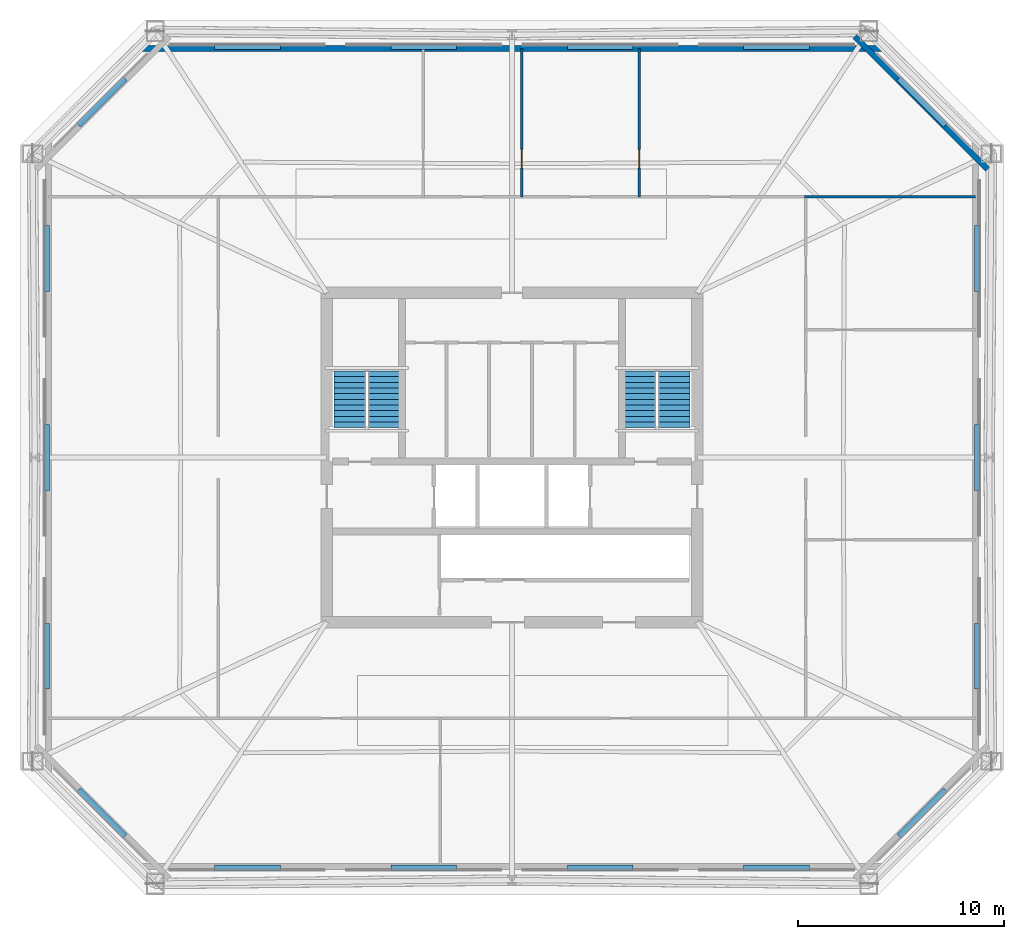
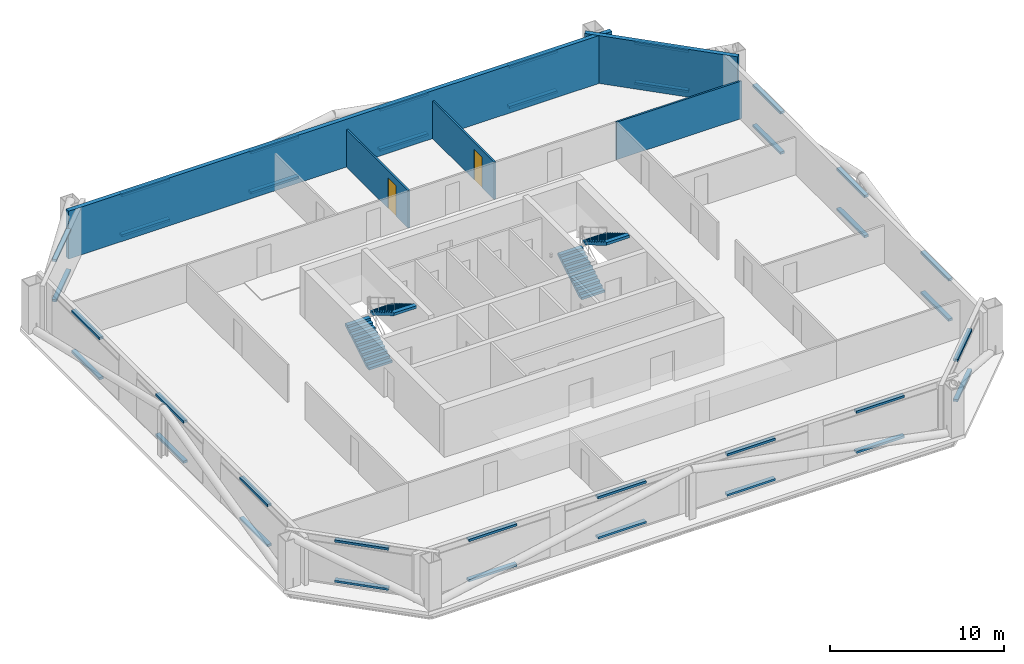
# One storey, part 4 of 6: 36 discrete accessories, 5 walls, 4 stair flights, 2 doors, 2 openings, 2 elements without a shape of their own.
"""IFC4 building model written with IfcOpenShell, lengths in metres."""

from ifc_helpers import new_model, si_unit, direction, frame, frame_2d, origin, origin_2d, place, context, subcontext, project, spatial, polyline, rectangle, outline, extrude, material, layer, layer_set, type_object, element, fill, aggregate, save


model = new_model("IFC4")

# Units and contexts
model_context = context("Model", 3, precision=1e-05, world=origin(), true_north=direction((0.0, 1.0)))
body_context = subcontext(model_context, "Body", "Model", "MODEL_VIEW")
ifc_project = project(units=[si_unit("LENGTHUNIT", "METRE"), si_unit("AREAUNIT", "SQUARE_METRE"), si_unit("VOLUMEUNIT", "CUBIC_METRE"), si_unit("PLANEANGLEUNIT", "RADIAN"), si_unit("MASSUNIT", "GRAM", prefix="KILO")], contexts=[model_context])

# Site, building, storey
site_placement = place(None, origin())
site = spatial("IfcSite", under=ifc_project, at=site_placement, CompositionType="ELEMENT")
building_placement = place(site_placement, origin())
building = spatial("IfcBuilding", under=site, at=building_placement, Name="Caelvoria Tower", CompositionType="ELEMENT")
storey_placement = place(building_placement, frame((0.0, 0.0, 127.60009765625)))
storey = spatial("IfcBuildingStorey", under=building, at=storey_placement, Name="L33", CompositionType="ELEMENT", Elevation=127.60009765625)

# Walls
ifc_material_1 = material(Name="Precast Concrete C40/50 with Bronze Cladding", Category="concrete")
ifc_layer_1 = layer(ifc_material_1, 0.280029296875, Name="Precast Concrete C40/50 with Bronze Cladding")
ifc_layer_set_1 = layer_set([ifc_layer_1], Name="Exterior Precast Concrete C40/50 Bronze-Clad Facade Wall 280 - Precast Concrete C40/50 with Bronze Cladding")
wall_type_1 = type_object("IfcWallType", Name="Exterior Precast Concrete C40/50 Bronze-Clad Facade Wall 280", PredefinedType="STANDARD", material=ifc_layer_set_1)
wall_1_placement = place(storey_placement, frame((69.093994140625, 46.00439453125, 0.0), z_axis=(0.0, 0.0, 1.0), x_axis=(-0.707106781187, 0.707106781187, 0.0)))
element("IfcWall", 1, at=wall_1_placement, inside=storey, type_object=wall_type_1, Name="Exterior Facade Wall L33-E3", PredefinedType="STANDARD", context=body_context, shape_type="SweptSolid", body=[
    extrude(rectangle(XDim=9.106689453125, YDim=0.280029296875, at=frame_2d((4.55322265625, 0.0))), origin(), (0.0, 0.0, 1.0), 3.35986328125),
])
wall_2_placement = place(storey_placement, frame((64.0400390625, 51.8701171875, 0.0), z_axis=(0.0, 0.0, 1.0), x_axis=(-1.0, 0.0, 0.0)))
element("IfcWall", 2, at=wall_2_placement, inside=storey, type_object=wall_type_1, Name="Exterior Facade Wall L33-E4", PredefinedType="STANDARD", context=body_context, shape_type="SweptSolid", body=[
    extrude(rectangle(XDim=36.080078125, YDim=0.280029296875, at=frame_2d((18.0400390625, 0.0))), origin(), (0.0, 0.0, 1.0), 3.35986328125),
])

# Wall, opening, door
ifc_material_2 = material(Name="Acoustic Gypsum Board on Light-Gauge Stud", Category="gypsum")
ifc_layer_2 = layer(ifc_material_2, 0.1201171875, Name="Acoustic Gypsum Board on Light-Gauge Stud")
ifc_layer_set_2 = layer_set([ifc_layer_2], Name="Tenant Suite Acoustic Partition Wall 120 - Acoustic Gypsum Board on Light-Gauge Stud")
wall_type_2 = type_object("IfcWallType", Name="Tenant Suite Acoustic Partition Wall 120", PredefinedType="PARTITIONING", material=ifc_layer_set_2)
wall_3_placement = place(storey_placement, frame((46.466552734375, 44.659912109375, 0.0), z_axis=(0.0, 0.0, 1.0), x_axis=(0.0, 1.0, 0.0)))
wall_3 = element("IfcWall", 3, at=wall_3_placement, inside=storey, type_object=wall_type_2, Name="Interior Partition IW-L33-ND-01-0", PredefinedType="PARTITIONING", context=body_context, shape_type="SweptSolid", body=[
    extrude(rectangle(XDim=7.210205078125, YDim=0.1201171875, at=frame_2d((3.60498046875, 0.0))), origin(), (0.0, 0.0, 1.0), 2.639892578125),
])
opening_1_placement = place(wall_3_placement, frame((1.39990234375, 0.0, 0.0)))
opening_1 = element("IfcOpeningElement", 4, at=opening_1_placement, cuts=wall_3, Name="Opening ID-06", PredefinedType="OPENING", context=body_context, shape_type="SweptSolid", body=[
    extrude(rectangle(XDim=0.89990234375, YDim=2.14990234375, at=frame_2d((0.449951171875, 1.074951171875))), frame((0.0, 0.070068359375, 0.0), z_axis=(0.0, -1.0, 0.0), x_axis=(1.0, 0.0, 0.0)), (0.0, 0.0, 1.0), 0.14013671875),
])
ifc_material_3 = material(Name="Engineered Andean Oak Veneer Door", Category="wood")
door_type = type_object("IfcDoorType", Name="Interior Timber Door 900x2150", OperationType="NOTDEFINED", PredefinedType="DOOR", material=ifc_material_3)
door_1_placement = place(opening_1_placement, origin())
door_1 = element("IfcDoor", 5, at=door_1_placement, inside=storey, type_object=door_type, Name="Interior Door DR-L33-NM-01-0", OperationType="SINGLE_SWING_LEFT", OverallHeight=2.14990234375, OverallWidth=0.89990234375, PredefinedType="DOOR", context=body_context, shape_type="SweptSolid", body=[
    extrude(rectangle(XDim=0.89990234375, YDim=2.14990234375, at=frame_2d((0.449951171875, 1.074951171875))), frame((0.0, 0.02490234375, 0.0), z_axis=(0.0, -1.0, 0.0), x_axis=(1.0, 0.0, 0.0)), (0.0, 0.0, 1.0), 0.050048828125),
])
fill(opening_1, door_1)

wall_4_placement = place(storey_placement, frame((52.179443359375, 44.659912109375, 0.0), z_axis=(0.0, 0.0, 1.0), x_axis=(0.0, 1.0, 0.0)))
wall_4 = element("IfcWall", 6, at=wall_4_placement, inside=storey, type_object=wall_type_2, Name="Interior Partition IW-L33-ND-02-0", PredefinedType="PARTITIONING", context=body_context, shape_type="SweptSolid", body=[
    extrude(rectangle(XDim=7.210205078125, YDim=0.1201171875, at=frame_2d((3.60498046875, 0.0))), origin(), (0.0, 0.0, 1.0), 2.639892578125),
])
opening_2_placement = place(wall_4_placement, frame((1.39990234375, 0.0, 0.0)))
opening_2 = element("IfcOpeningElement", 7, at=opening_2_placement, cuts=wall_4, Name="Opening ID-06", PredefinedType="OPENING", context=body_context, shape_type="SweptSolid", body=[
    extrude(rectangle(XDim=0.89990234375, YDim=2.14990234375, at=frame_2d((0.449951171875, 1.074951171875))), frame((0.0, 0.070068359375, 0.0), z_axis=(0.0, -1.0, 0.0), x_axis=(1.0, 0.0, 0.0)), (0.0, 0.0, 1.0), 0.14013671875),
])
door_2_placement = place(opening_2_placement, origin())
door_2 = element("IfcDoor", 8, at=door_2_placement, inside=storey, type_object=door_type, Name="Interior Door DR-L33-NM-02-0", OperationType="SINGLE_SWING_RIGHT", OverallHeight=2.14990234375, OverallWidth=0.89990234375, PredefinedType="DOOR", context=body_context, shape_type="SweptSolid", body=[
    extrude(rectangle(XDim=0.89990234375, YDim=2.14990234375, at=frame_2d((0.449951171875, 1.074951171875))), frame((0.0, 0.02490234375, 0.0), z_axis=(0.0, -1.0, 0.0), x_axis=(1.0, 0.0, 0.0)), (0.0, 0.0, 1.0), 0.050048828125),
])
fill(opening_2, door_2)

# Wall
wall_5_placement = place(storey_placement, frame((60.199951171875, 44.659912109375, 0.0), z_axis=(0.0, 0.0, 1.0), x_axis=(1.0, 0.0, 0.0)))
element("IfcWall", 9, at=wall_5_placement, inside=storey, type_object=wall_type_2, Name="Interior Partition IW-L33-BNE-0", PredefinedType="PARTITIONING", context=body_context, shape_type="SweptSolid", body=[
    extrude(rectangle(XDim=8.320068359375, YDim=0.1201171875, at=frame_2d((4.16015625, 0.0))), origin(), (0.0, 0.0, 1.0), 2.639892578125),
])

# Stair, stair flights
ifc_material_4 = material(Name="Concrete C40/50", Category="concrete")
stair_type = type_object("IfcStairType", Name="Core Smokeproof Dogleg Stair Concrete C40/50", PredefinedType="HALF_TURN_STAIR", material=ifc_material_4)
stair_1_placement = place(storey_placement, origin())
stair_1 = element("IfcStair", 10, at=stair_1_placement, inside=storey, type_object=stair_type, Name="ST-01 Smokeproof Exit Stair L33", PredefinedType="HALF_TURN_STAIR")
ifc_material_5 = material(Name="Precast Concrete C40/50", Category="concrete")
stair_flight_type = type_object("IfcStairFlightType", Name="Precast Concrete C40/50 Stair Flight 1480", PredefinedType="STRAIGHT", material=ifc_material_5)
stair_flight_1_placement = place(storey_placement, frame((38.1298828125, 33.449951171875, 0.0), z_axis=(0.0, 0.0, 1.0), x_axis=(0.0, 1.0, 0.0)))
stair_flight_1 = element("IfcStairFlight", 11, at=stair_flight_1_placement, type_object=stair_flight_type, Name="ST-01 flight 1", NumberOfRisers=11, NumberOfTreads=10, PredefinedType="STRAIGHT", RiserHeight=0.1636, TreadLength=0.275, context=body_context, shape_type="SweptSolid", body=[
    extrude(outline(polyline([(0.0, 0.0), (0.0, 0.16357421875), (0.27490234375, 0.16357421875), (0.27490234375, 0.3271484375), (0.550048828125, 0.3271484375), (0.550048828125, 0.49072265625), (0.824951171875, 0.49072265625), (0.824951171875, 0.654296875), (1.10009765625, 0.654296875), (1.10009765625, 0.818115234375), (1.375, 0.818115234375), (1.375, 0.981689453125), (1.64990234375, 0.981689453125), (1.64990234375, 1.145263671875), (1.925048828125, 1.145263671875), (1.925048828125, 1.308837890625), (2.199951171875, 1.308837890625), (2.199951171875, 1.472412109375), (2.47509765625, 1.472412109375), (2.47509765625, 1.635986328125), (2.75, 1.635986328125), (2.75, 1.799560546875), (2.75, 1.449951171875), (0.312744140625, 0.0), (0.0, 0.0)])), frame((0.0, 0.77001953125, 0.0), z_axis=(0.0, -1.0, 0.0), x_axis=(1.0, 0.0, 0.0)), (0.0, 0.0, 1.0), 1.5400390625),
])
stair_flight_2_placement = place(storey_placement, frame((39.77001953125, 36.199951171875, 1.7998046875), z_axis=(0.0, 0.0, 1.0), x_axis=(0.0, -1.0, 0.0)))
stair_flight_2 = element("IfcStairFlight", 12, at=stair_flight_2_placement, type_object=stair_flight_type, Name="ST-01 flight 2", NumberOfRisers=11, NumberOfTreads=10, PredefinedType="STRAIGHT", RiserHeight=0.1636, TreadLength=0.275, context=body_context, shape_type="SweptSolid", body=[
    extrude(outline(polyline([(0.0, 0.0), (0.0, 0.16357421875), (0.27490234375, 0.16357421875), (0.27490234375, 0.3271484375), (0.550048828125, 0.3271484375), (0.550048828125, 0.49072265625), (0.824951171875, 0.49072265625), (0.824951171875, 0.654296875), (1.10009765625, 0.654296875), (1.10009765625, 0.818115234375), (1.375, 0.818115234375), (1.375, 0.981689453125), (1.64990234375, 0.981689453125), (1.64990234375, 1.145263671875), (1.925048828125, 1.145263671875), (1.925048828125, 1.308837890625), (2.199951171875, 1.308837890625), (2.199951171875, 1.472412109375), (2.47509765625, 1.472412109375), (2.47509765625, 1.635986328125), (2.75, 1.635986328125), (2.75, 1.799560546875), (2.75, 1.449951171875), (0.312744140625, 0.0), (0.0, 0.0)])), frame((0.0, 0.77001953125, 0.0), z_axis=(0.0, -1.0, 0.0), x_axis=(1.0, 0.0, 0.0)), (0.0, 0.0, 1.0), 1.5400390625),
])
aggregate(stair_1, [stair_flight_1, stair_flight_2])

stair_2_placement = place(storey_placement, origin())
stair_2 = element("IfcStair", 13, at=stair_2_placement, inside=storey, type_object=stair_type, Name="ST-02 Smokeproof Exit Stair L33", PredefinedType="HALF_TURN_STAIR")
stair_flight_3_placement = place(storey_placement, frame((52.22998046875, 33.449951171875, 0.0), z_axis=(0.0, 0.0, 1.0), x_axis=(0.0, 1.0, 0.0)))
stair_flight_3 = element("IfcStairFlight", 14, at=stair_flight_3_placement, type_object=stair_flight_type, Name="ST-02 flight 1", NumberOfRisers=11, NumberOfTreads=10, PredefinedType="STRAIGHT", RiserHeight=0.1636, TreadLength=0.275, context=body_context, shape_type="SweptSolid", body=[
    extrude(outline(polyline([(0.0, 0.0), (0.0, 0.16357421875), (0.27490234375, 0.16357421875), (0.27490234375, 0.3271484375), (0.550048828125, 0.3271484375), (0.550048828125, 0.49072265625), (0.824951171875, 0.49072265625), (0.824951171875, 0.654296875), (1.10009765625, 0.654296875), (1.10009765625, 0.818115234375), (1.375, 0.818115234375), (1.375, 0.981689453125), (1.64990234375, 0.981689453125), (1.64990234375, 1.145263671875), (1.925048828125, 1.145263671875), (1.925048828125, 1.308837890625), (2.199951171875, 1.308837890625), (2.199951171875, 1.472412109375), (2.47509765625, 1.472412109375), (2.47509765625, 1.635986328125), (2.75, 1.635986328125), (2.75, 1.799560546875), (2.75, 1.449951171875), (0.312744140625, 0.0), (0.0, 0.0)])), frame((0.0, 0.77001953125, 0.0), z_axis=(0.0, -1.0, 0.0), x_axis=(1.0, 0.0, 0.0)), (0.0, 0.0, 1.0), 1.5400390625),
])
stair_flight_4_placement = place(storey_placement, frame((53.8701171875, 36.199951171875, 1.7998046875), z_axis=(0.0, 0.0, 1.0), x_axis=(0.0, -1.0, 0.0)))
stair_flight_4 = element("IfcStairFlight", 15, at=stair_flight_4_placement, type_object=stair_flight_type, Name="ST-02 flight 2", NumberOfRisers=11, NumberOfTreads=10, PredefinedType="STRAIGHT", RiserHeight=0.1636, TreadLength=0.275, context=body_context, shape_type="SweptSolid", body=[
    extrude(outline(polyline([(0.0, 0.0), (0.0, 0.16357421875), (0.27490234375, 0.16357421875), (0.27490234375, 0.3271484375), (0.550048828125, 0.3271484375), (0.550048828125, 0.49072265625), (0.824951171875, 0.49072265625), (0.824951171875, 0.654296875), (1.10009765625, 0.654296875), (1.10009765625, 0.818115234375), (1.375, 0.818115234375), (1.375, 0.981689453125), (1.64990234375, 0.981689453125), (1.64990234375, 1.145263671875), (1.925048828125, 1.145263671875), (1.925048828125, 1.308837890625), (2.199951171875, 1.308837890625), (2.199951171875, 1.472412109375), (2.47509765625, 1.472412109375), (2.47509765625, 1.635986328125), (2.75, 1.635986328125), (2.75, 1.799560546875), (2.75, 1.449951171875), (0.312744140625, 0.0), (0.0, 0.0)])), frame((0.0, 0.77001953125, 0.0), z_axis=(0.0, -1.0, 0.0), x_axis=(1.0, 0.0, 0.0)), (0.0, 0.0, 1.0), 1.5400390625),
])
aggregate(stair_2, [stair_flight_3, stair_flight_4])

# Discrete accessories
ifc_material_6 = material(Name="Anodised Bronze Stainless Bracket", Category="bronze")
discrete_accessory_type = type_object("IfcDiscreteAccessoryType", Name="Solar Screen Outrigger Support Bracket", PredefinedType="BRACKET", material=ifc_material_6)
for number, where, z_axis, x_axis, name in (
    (16, (33.14501953125, 12.052978515625, 0.23974609375), (0.0, 0.0, 1.0), (1.0, 0.0, 0.0), "Solar Screen Bracket L33-E0-00"),
    (17, (33.14501953125, 12.052978515625, 3.06005859375), (0.0, 0.0, 1.0), (1.0, 0.0, 0.0), "Upper Screen Band Bracket L33-E0-00"),
    (18, (41.715087890625, 12.052978515625, 0.23974609375), (0.0, 0.0, 1.0), (1.0, 0.0, 0.0), "Solar Screen Bracket L33-E0-01"),
    (19, (41.715087890625, 12.052978515625, 3.06005859375), (0.0, 0.0, 1.0), (1.0, 0.0, 0.0), "Upper Screen Band Bracket L33-E0-01"),
    (20, (50.284912109375, 12.052978515625, 0.23974609375), (0.0, 0.0, 1.0), (1.0, 0.0, 0.0), "Solar Screen Bracket L33-E0-02"),
    (21, (50.284912109375, 12.052978515625, 3.06005859375), (0.0, 0.0, 1.0), (1.0, 0.0, 0.0), "Upper Screen Band Bracket L33-E0-02"),
    (22, (58.85498046875, 12.052978515625, 0.23974609375), (0.0, 0.0, 1.0), (1.0, 0.0, 0.0), "Solar Screen Bracket L33-E0-03"),
    (23, (58.85498046875, 12.052978515625, 3.06005859375), (0.0, 0.0, 1.0), (1.0, 0.0, 0.0), "Upper Screen Band Bracket L33-E0-03"),
    (24, (65.9287109375, 14.721435546875, 0.23974609375), (0.0, 0.0, 1.0), (0.707106781187, 0.707106781187, 0.0), "Solar Screen Bracket L33-E1-00"),
    (25, (65.9287109375, 14.721435546875, 3.06005859375), (0.0, 0.0, 1.0), (0.707106781187, 0.707106781187, 0.0), "Upper Screen Band Bracket L33-E1-00"),
    (26, (68.596923828125, 22.340087890625, 0.23974609375), (0.0, 0.0, 1.0), (0.0, 1.0, 0.0), "Solar Screen Bracket L33-E2-00"),
    (27, (68.596923828125, 22.340087890625, 3.06005859375), (0.0, 0.0, 1.0), (0.0, 1.0, 0.0), "Upper Screen Band Bracket L33-E2-00"),
    (28, (68.596923828125, 32.0, 0.23974609375), (0.0, 0.0, 1.0), (0.0, 1.0, 0.0), "Solar Screen Bracket L33-E2-01"),
    (29, (68.596923828125, 32.0, 3.06005859375), (0.0, 0.0, 1.0), (0.0, 1.0, 0.0), "Upper Screen Band Bracket L33-E2-01"),
    (30, (68.596923828125, 41.659912109375, 0.23974609375), (0.0, 0.0, 1.0), (0.0, 1.0, 0.0), "Solar Screen Bracket L33-E2-02"),
    (31, (68.596923828125, 41.659912109375, 3.06005859375), (0.0, 0.0, 1.0), (0.0, 1.0, 0.0), "Upper Screen Band Bracket L33-E2-02"),
    (32, (65.9287109375, 49.278564453125, 0.23974609375), (0.0, 0.0, 1.0), (-0.707106781187, 0.707106781187, 0.0), "Solar Screen Bracket L33-E3-00"),
    (33, (65.9287109375, 49.278564453125, 3.06005859375), (0.0, 0.0, 1.0), (-0.707106781187, 0.707106781187, 0.0), "Upper Screen Band Bracket L33-E3-00"),
    (34, (58.85498046875, 51.947021484375, 0.23974609375), (0.0, 0.0, 1.0), (-1.0, 0.0, 0.0), "Solar Screen Bracket L33-E4-00"),
    (35, (58.85498046875, 51.947021484375, 3.06005859375), (0.0, 0.0, 1.0), (-1.0, 0.0, 0.0), "Upper Screen Band Bracket L33-E4-00"),
    (36, (50.284912109375, 51.947021484375, 0.23974609375), (0.0, 0.0, 1.0), (-1.0, 0.0, 0.0), "Solar Screen Bracket L33-E4-01"),
    (37, (50.284912109375, 51.947021484375, 3.06005859375), (0.0, 0.0, 1.0), (-1.0, 0.0, 0.0), "Upper Screen Band Bracket L33-E4-01"),
    (38, (41.715087890625, 51.947021484375, 0.23974609375), (0.0, 0.0, 1.0), (-1.0, 0.0, 0.0), "Solar Screen Bracket L33-E4-02"),
    (39, (41.715087890625, 51.947021484375, 3.06005859375), (0.0, 0.0, 1.0), (-1.0, 0.0, 0.0), "Upper Screen Band Bracket L33-E4-02"),
    (40, (33.14501953125, 51.947021484375, 0.23974609375), (0.0, 0.0, 1.0), (-1.0, 0.0, 0.0), "Solar Screen Bracket L33-E4-03"),
    (41, (33.14501953125, 51.947021484375, 3.06005859375), (0.0, 0.0, 1.0), (-1.0, 0.0, 0.0), "Upper Screen Band Bracket L33-E4-03"),
    (42, (26.0712890625, 49.278564453125, 0.23974609375), (0.0, 0.0, 1.0), (-0.707106781187, -0.707106781187, 0.0), "Solar Screen Bracket L33-E5-00"),
    (43, (26.0712890625, 49.278564453125, 3.06005859375), (0.0, 0.0, 1.0), (-0.707106781187, -0.707106781187, 0.0), "Upper Screen Band Bracket L33-E5-00"),
    (44, (23.403076171875, 41.659912109375, 0.23974609375), (0.0, 0.0, 1.0), (0.0, -1.0, 0.0), "Solar Screen Bracket L33-E6-00"),
    (45, (23.403076171875, 41.659912109375, 3.06005859375), (0.0, 0.0, 1.0), (0.0, -1.0, 0.0), "Upper Screen Band Bracket L33-E6-00"),
    (46, (23.403076171875, 32.0, 0.23974609375), (0.0, 0.0, 1.0), (0.0, -1.0, 0.0), "Solar Screen Bracket L33-E6-01"),
    (47, (23.403076171875, 32.0, 3.06005859375), (0.0, 0.0, 1.0), (0.0, -1.0, 0.0), "Upper Screen Band Bracket L33-E6-01"),
    (48, (23.403076171875, 22.340087890625, 0.23974609375), (0.0, 0.0, 1.0), (0.0, -1.0, 0.0), "Solar Screen Bracket L33-E6-02"),
    (49, (23.403076171875, 22.340087890625, 3.06005859375), (0.0, 0.0, 1.0), (0.0, -1.0, 0.0), "Upper Screen Band Bracket L33-E6-02"),
    (50, (26.0712890625, 14.721435546875, 0.23974609375), (0.0, 0.0, 1.0), (0.707106781187, -0.707106781187, 0.0), "Solar Screen Bracket L33-E7-00"),
    (51, (26.0712890625, 14.721435546875, 3.06005859375), (0.0, 0.0, 1.0), (0.707106781187, -0.707106781187, 0.0), "Upper Screen Band Bracket L33-E7-00"),
):
    element("IfcDiscreteAccessory", number, at=place(storey_placement, frame(where, z_axis=z_axis, x_axis=x_axis)), inside=storey, type_object=discrete_accessory_type, Name=name, PredefinedType="BRACKET", context=body_context, shape_type="SweptSolid", body=[
        extrude(rectangle(XDim=3.199951171875, YDim=0.280029296875, at=origin_2d()), origin(), (0.0, 0.0, 1.0), 0.159912109375),
    ])

save(model, "model.ifc")
